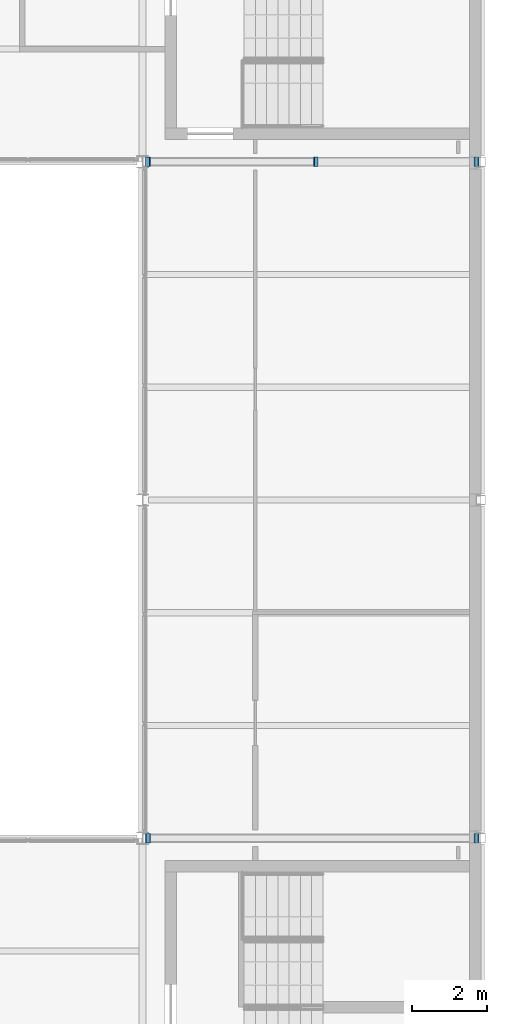
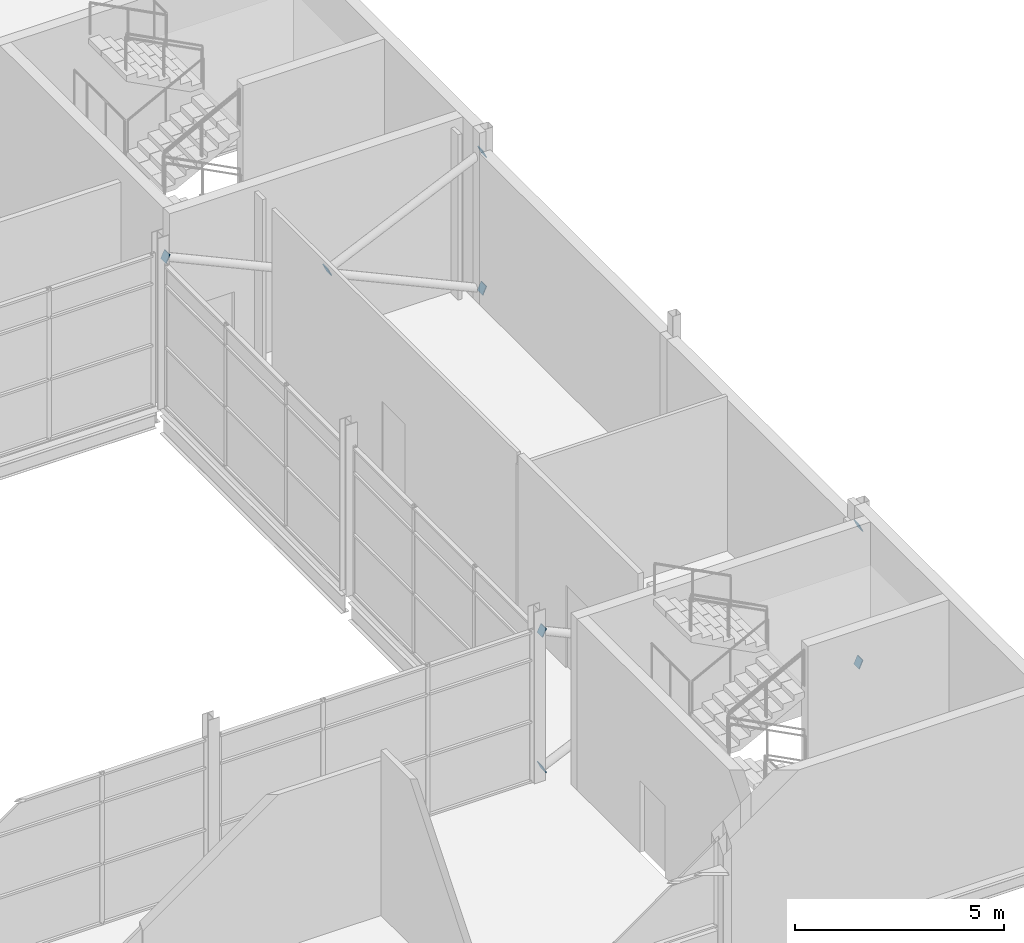
# One storey, part 57 of 61: 8 discrete accessories.
"""IFC4 building model written with IfcOpenShell, lengths in metres."""

from ifc_helpers import new_model, si_unit, direction, frame, origin, place, context, subcontext, project, spatial, polyline, outline, extrude, material, layer, layer_set, type_object, element, save


model = new_model("IFC4")

# Units and contexts
model_context = context("Model", 3, precision=1e-05, world=origin(), true_north=direction((0.0, 1.0)))
body_context = subcontext(model_context, "Body", "Model", "MODEL_VIEW")
ifc_project = project(units=[si_unit("LENGTHUNIT", "METRE"), si_unit("AREAUNIT", "SQUARE_METRE"), si_unit("VOLUMEUNIT", "CUBIC_METRE"), si_unit("PLANEANGLEUNIT", "RADIAN"), si_unit("MASSUNIT", "GRAM", prefix="KILO")], contexts=[model_context])

# Site, building, storey
site_placement = place(None, origin())
site = spatial("IfcSite", under=ifc_project, at=site_placement, CompositionType="ELEMENT")
building_placement = place(site_placement, origin())
building = spatial("IfcBuilding", under=site, at=building_placement, Name="Shorebreak Coast Museum", CompositionType="ELEMENT")
storey_placement = place(building_placement, frame((0.0, 0.0, 26.0)))
storey = spatial("IfcBuildingStorey", under=building, at=storey_placement, Name="L04", CompositionType="ELEMENT", Elevation=26.0)

# Discrete accessories
ifc_material = material(Name="Steel Grade 300", Category="steel")
ifc_layer = layer(ifc_material, 0.02490234375)
ifc_layer_set = layer_set([ifc_layer], Name="Steel Grade 300")
discrete_accessory_type = type_object("IfcDiscreteAccessoryType", Name="End plate 250 x 250 x 25", PredefinedType="BRACKET", material=ifc_layer_set)
discrete_accessory_1_placement = place(storey_placement, frame((108.205322265625, 62.875, 0.186279296875), z_axis=(0.910232642969, 0.0, 0.414097253883), x_axis=(0.0, 1.0, 0.0)))
element("IfcDiscreteAccessory", 1, at=discrete_accessory_1_placement, inside=storey, type_object=discrete_accessory_type, Name="End plate X-brace bay 02 L04 diagonal 1 end 1", PredefinedType="BRACKET", context=body_context, shape_type="SweptSolid", body=[
    extrude(outline(polyline([(0.0, 0.0), (0.25, 0.0), (0.25, 0.24997901828457428), (0.0, 0.24997901828457428), (0.0, 0.0)])), origin(), (0.0, 0.0, -1.0), 0.02490234375),
])
discrete_accessory_2_placement = place(storey_placement, frame((116.94970703125, 62.875, 4.171630859375), z_axis=(0.909864310999, 0.0, 0.41490593581), x_axis=(0.0, 1.0, 0.0)))
element("IfcDiscreteAccessory", 2, at=discrete_accessory_2_placement, inside=storey, type_object=discrete_accessory_type, Name="End plate X-brace bay 02 L04 diagonal 1 end 2", PredefinedType="BRACKET", context=body_context, shape_type="SweptSolid", body=[
    extrude(outline(polyline([(0.0, 0.0), (0.25, 0.0), (0.25, 0.2500802149829807), (0.0, 0.2500802149829807), (0.0, 0.0)])), origin(), (0.0, 0.0, -1.0), 0.02490234375),
])
discrete_accessory_3_placement = place(storey_placement, frame((116.8232421875, 63.125, 0.186279296875), z_axis=(-0.910232642969, 0.0, 0.414097253883), x_axis=(0.0, -1.0, 0.0)))
element("IfcDiscreteAccessory", 3, at=discrete_accessory_3_placement, inside=storey, type_object=discrete_accessory_type, Name="End plate X-brace bay 02 L04 diagonal 2 end 1", PredefinedType="BRACKET", context=body_context, shape_type="SweptSolid", body=[
    extrude(outline(polyline([(0.0, 0.0), (0.25, 0.0), (0.25, 0.24997901828457428), (0.0, 0.24997901828457428), (0.0, 0.0)])), origin(), (0.0, 0.0, -1.0), 0.02490234375),
])
for number, where, z_axis, x_axis, name in (
    (4, (108.078857421875, 63.125, 4.171630859375), (-0.909864310999, 0.0, 0.41490593581), (0.0, -1.0, 0.0), "End plate X-brace bay 02 L04 diagonal 2 end 2"),
    (5, (112.674072265625, 80.875, 2.222900390625), (0.909864310999, 0.0, 0.41490593581), (0.0, 1.0, 0.0), "End plate X-brace bay 04 L04 diagonal 1 end 1"),
    (6, (116.94970703125, 80.875, 4.171630859375), (0.909864310999, 0.0, 0.41490593581), (0.0, 1.0, 0.0), "End plate X-brace bay 04 L04 diagonal 1 end 2"),
):
    element("IfcDiscreteAccessory", number, at=place(storey_placement, frame(where, z_axis=z_axis, x_axis=x_axis)), inside=storey, type_object=discrete_accessory_type, Name=name, PredefinedType="BRACKET", context=body_context, shape_type="SweptSolid", body=[
        extrude(outline(polyline([(0.0, 0.0), (0.25, 0.0), (0.25, 0.2500802149829807), (0.0, 0.2500802149829807), (0.0, 0.0)])), origin(), (0.0, 0.0, -1.0), 0.02490234375),
    ])
discrete_accessory_4_placement = place(storey_placement, frame((116.8232421875, 81.125, 0.186279296875), z_axis=(-0.910232642969, 0.0, 0.414097253883), x_axis=(0.0, -1.0, 0.0)))
element("IfcDiscreteAccessory", 7, at=discrete_accessory_4_placement, inside=storey, type_object=discrete_accessory_type, Name="End plate X-brace bay 04 L04 diagonal 2 end 1", PredefinedType="BRACKET", context=body_context, shape_type="SweptSolid", body=[
    extrude(outline(polyline([(0.0, 0.0), (0.25, 0.0), (0.25, 0.24997901828457428), (0.0, 0.24997901828457428), (0.0, 0.0)])), origin(), (0.0, 0.0, -1.0), 0.02490234375),
])
discrete_accessory_5_placement = place(storey_placement, frame((108.078857421875, 81.125, 4.171630859375), z_axis=(-0.909864310999, 0.0, 0.41490593581), x_axis=(0.0, -1.0, 0.0)))
element("IfcDiscreteAccessory", 8, at=discrete_accessory_5_placement, inside=storey, type_object=discrete_accessory_type, Name="End plate X-brace bay 04 L04 diagonal 2 end 2", PredefinedType="BRACKET", context=body_context, shape_type="SweptSolid", body=[
    extrude(outline(polyline([(0.0, 0.0), (0.25, 0.0), (0.25, 0.2500802149829807), (0.0, 0.2500802149829807), (0.0, 0.0)])), origin(), (0.0, 0.0, -1.0), 0.02490234375),
])

save(model, "model.ifc")
